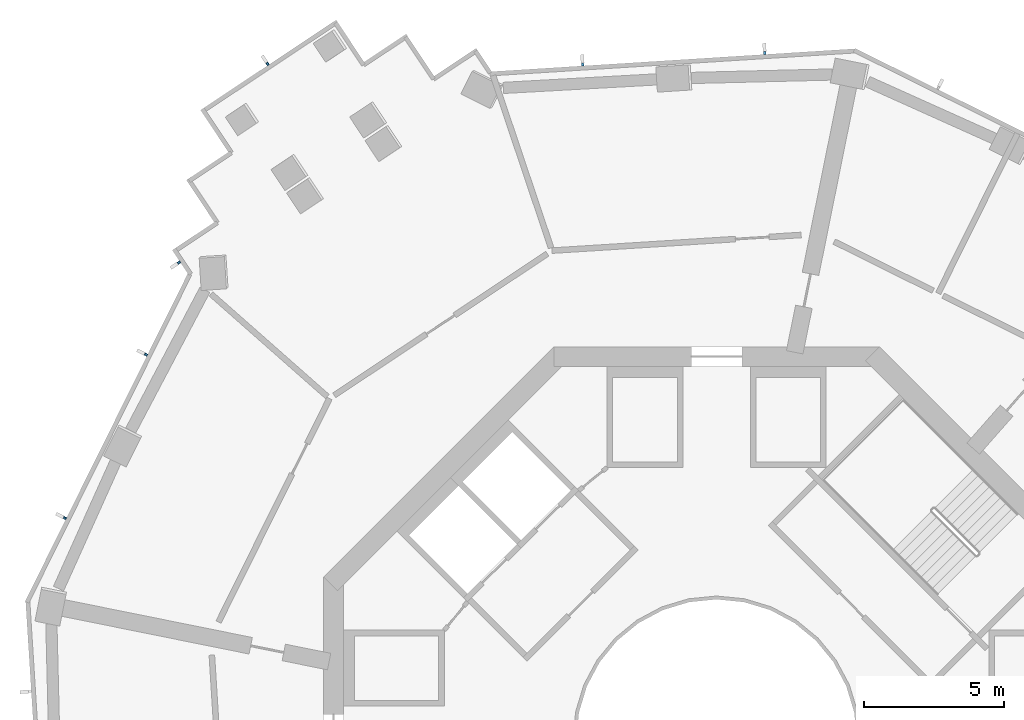
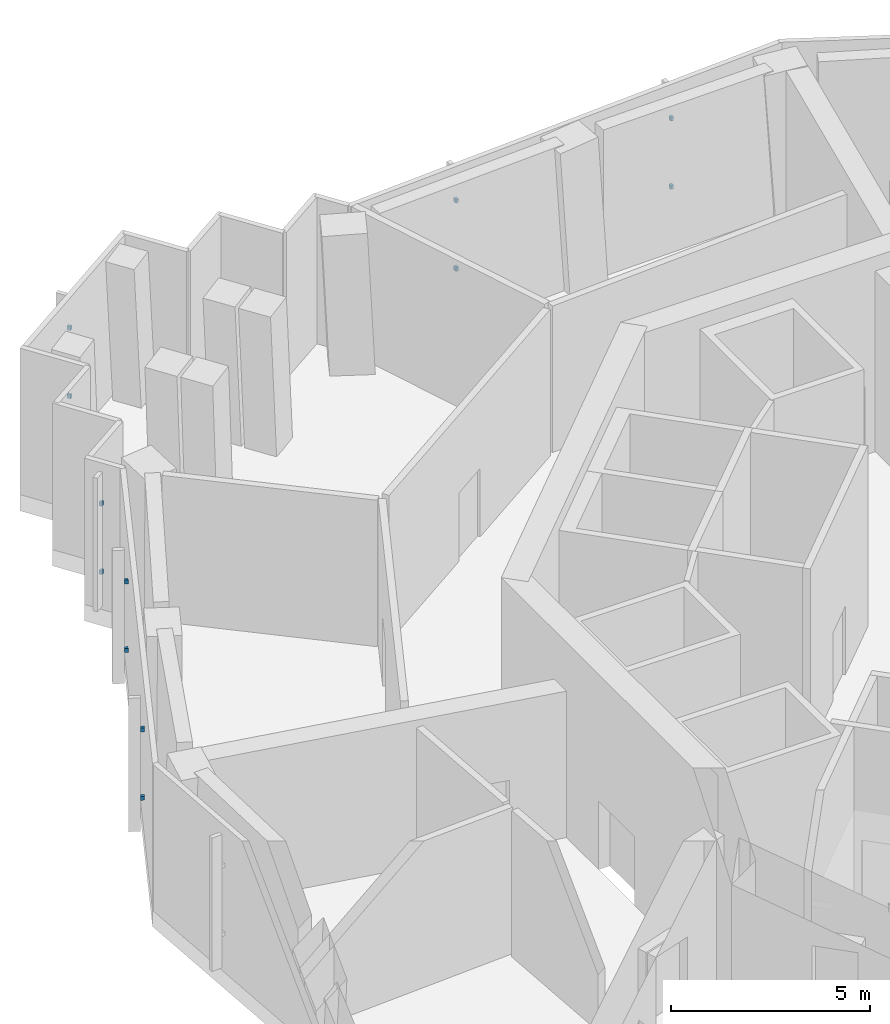
# One storey, part 9 of 16: 12 discrete accessories.
"""IFC4 building model written with IfcOpenShell, lengths in metres."""

from ifc_helpers import new_model, si_unit, direction, frame, origin, origin_2d, place, context, subcontext, project, spatial, rectangle, extrude, element, save


model = new_model("IFC4")

# Units and contexts
model_context = context("Model", 3, precision=1e-05, world=origin(), true_north=direction((0.0, 1.0)))
body_context = subcontext(model_context, "Body", "Model", "MODEL_VIEW")
ifc_project = project(units=[si_unit("LENGTHUNIT", "METRE"), si_unit("AREAUNIT", "SQUARE_METRE"), si_unit("VOLUMEUNIT", "CUBIC_METRE"), si_unit("PLANEANGLEUNIT", "RADIAN"), si_unit("MASSUNIT", "GRAM", prefix="KILO")], contexts=[model_context])

# Site, building, storey
site_placement = place(None, origin())
site = spatial("IfcSite", under=ifc_project, at=site_placement, CompositionType="ELEMENT")
building_placement = place(site_placement, origin())
building = spatial("IfcBuilding", under=site, at=building_placement, Name="Verdalira Terraces Hotel", CompositionType="ELEMENT")
storey_placement = place(building_placement, frame((0.0, 0.0, 169.0)))
storey = spatial("IfcBuildingStorey", under=building, at=storey_placement, Name="L41", CompositionType="ELEMENT", Elevation=169.0)

# Discrete accessories
for number, where, z_axis, x_axis, name in (
    (1, (-15.997559, 24.078369, 1.139893), (0.0, 0.0, 1.0), (-0.832921241, -0.553391549, 0.0), "Fin bracket"),
    (2, (-15.997559, 24.078369, 3.23999), (0.0, 0.0, 1.0), (-0.832921241, -0.553391549, 0.0), "Fin bracket"),
    (3, (-19.156738, 16.99707, 1.139893), (0.0, 0.0, 1.0), (0.553391549, -0.832921241, 0.0), "Fin bracket"),
    (4, (-19.156738, 16.99707, 3.23999), (0.0, 0.0, 1.0), (0.553391549, -0.832921241, 0.0), "Fin bracket"),
    (5, (-20.328125, 13.719482, 1.139893), (0.0, 0.0, 1.0), (-0.444635179, -0.89571176, 0.0), "Fin bracket"),
    (6, (-20.328125, 13.719482, 3.23999), (0.0, 0.0, 1.0), (-0.444635179, -0.89571176, 0.0), "Fin bracket"),
    (7, (-23.218262, 7.897217, 1.139893), (0.0, 0.0, 1.0), (-0.444635179, -0.89571176, 0.0), "Fin bracket"),
    (8, (-23.218262, 7.897217, 3.23999), (0.0, 0.0, 1.0), (-0.444635179, -0.89571176, 0.0), "Fin bracket"),
    (9, (1.717285, 24.464355, 1.139893), (0.0, 0.0, 1.0), (-0.998026728, -0.06279052, 0.0), "Fin bracket"),
    (10, (1.717285, 24.464355, 3.23999), (0.0, 0.0, 1.0), (-0.998026728, -0.06279052, 0.0), "Fin bracket"),
    (11, (-4.77002, 24.056396, 1.139893), (0.0, 0.0, 1.0), (-0.998026728, -0.06279052, 0.0), "Fin bracket"),
    (12, (-4.77002, 24.056396, 3.23999), (0.0, 0.0, 1.0), (-0.998026728, -0.06279052, 0.0), "Fin bracket"),
):
    element("IfcDiscreteAccessory", number, at=place(storey_placement, frame(where, z_axis=z_axis, x_axis=x_axis)), inside=storey, Name=name, PredefinedType="BRACKET", context=body_context, shape_type="SweptSolid", body=[
        extrude(rectangle(XDim=0.080078, YDim=0.100098, at=origin_2d()), origin(), (0.0, 0.0, 1.0), 0.120117),
    ])

save(model, "model.ifc")
